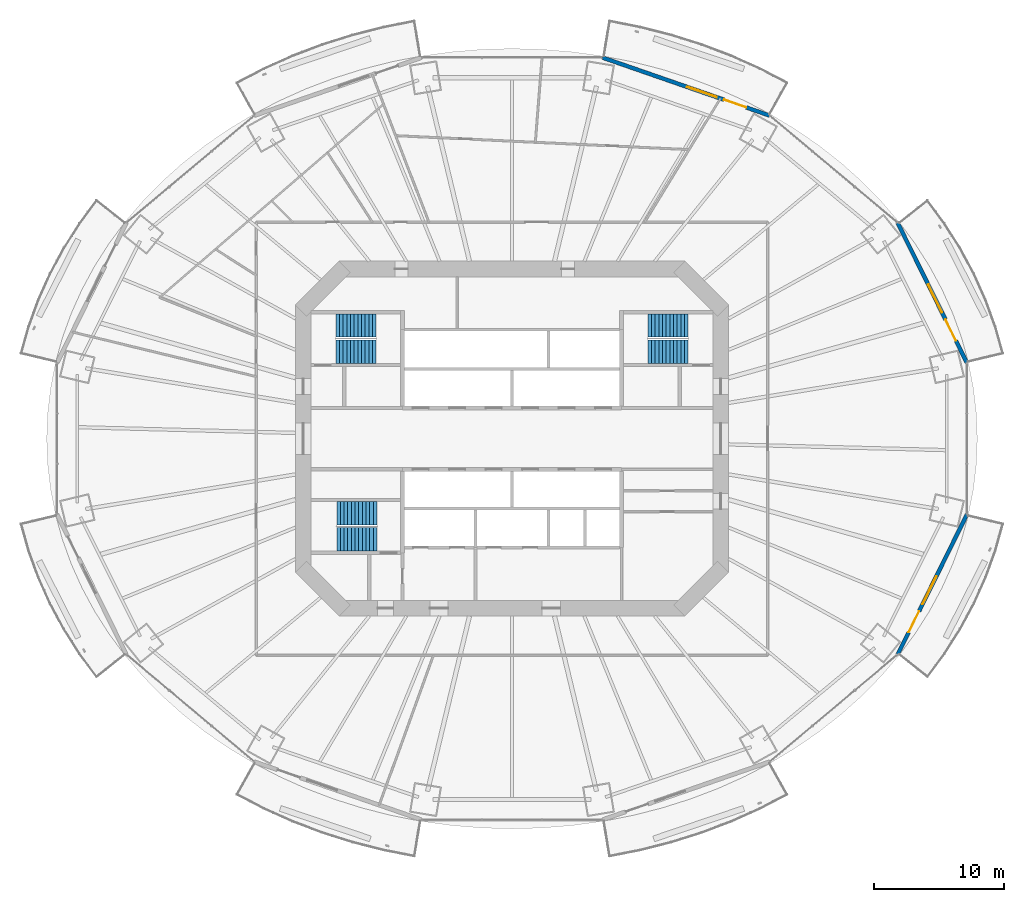
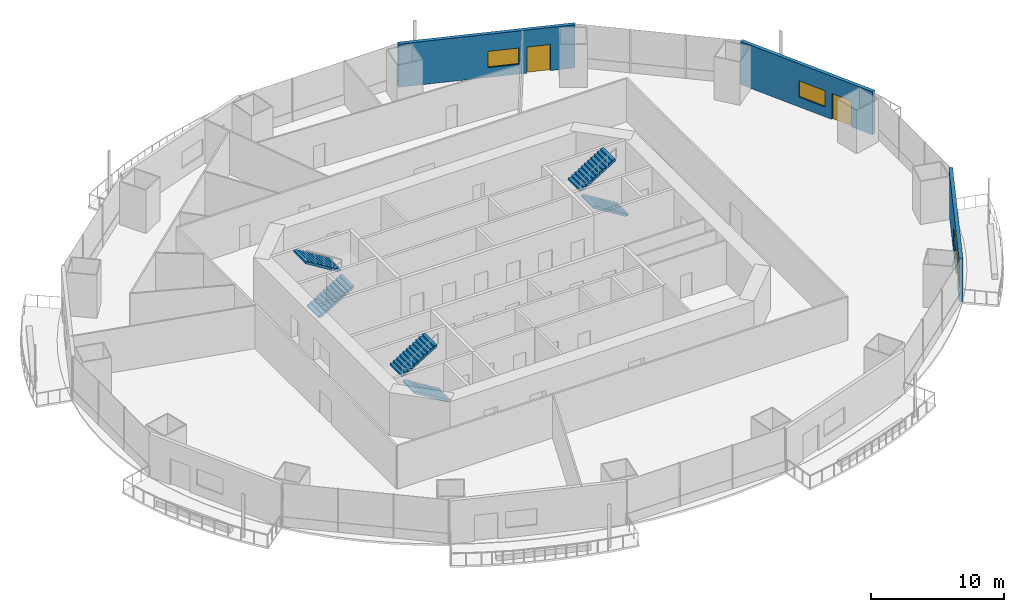
# One storey, part 16 of 22: 6 stair flights, 3 doors, 3 walls, 3 windows, 6 openings, 3 elements without a shape of their own.
"""IFC4 building model written with IfcOpenShell, lengths in metres."""

from ifc_helpers import new_model, si_unit, direction, frame, frame_2d, origin, place, context, subcontext, project, spatial, polyline, rectangle, outline, extrude, material, layer, layer_set, type_object, element, fill, aggregate, save


model = new_model("IFC4")

# Units and contexts
model_context = context("Model", 3, precision=1e-05, world=origin(), true_north=direction((0.0, 1.0)))
body_context = subcontext(model_context, "Body", "Model", "MODEL_VIEW")
ifc_project = project(units=[si_unit("LENGTHUNIT", "METRE"), si_unit("AREAUNIT", "SQUARE_METRE"), si_unit("VOLUMEUNIT", "CUBIC_METRE"), si_unit("PLANEANGLEUNIT", "RADIAN"), si_unit("MASSUNIT", "GRAM", prefix="KILO")], contexts=[model_context])

# Site, building, storey
site_placement = place(None, origin())
site = spatial("IfcSite", under=ifc_project, at=site_placement, CompositionType="ELEMENT")
building_placement = place(site_placement, origin())
building = spatial("IfcBuilding", under=site, at=building_placement, Name="Marenthal Gate Tower", CompositionType="ELEMENT")
storey_placement = place(building_placement, frame((0.0, 0.0, 74.5)))
storey = spatial("IfcBuildingStorey", under=building, at=storey_placement, Name="L14", CompositionType="ELEMENT", Elevation=74.5)

# Wall, openings, door, window
ifc_material_1 = material(Name="Terracotta cladding on insulated concrete-block backing", Category="masonry")
ifc_layer = layer(ifc_material_1, 0.300048828125)
ifc_layer_set = layer_set([ifc_layer], Name="Terracotta facade wall 300")
wall_type = type_object("IfcWallType", Name="Terracotta facade wall 300", PredefinedType="SOLIDWALL", material=ifc_layer_set)
wall_1_placement = place(storey_placement, frame((34.869873046875, 5.810546875, 0.0), z_axis=(0.0, 0.0, 1.0), x_axis=(-0.443222110109, 0.896411825619, 0.0)))
wall_1 = element("IfcWall", 1, at=wall_1_placement, inside=storey, type_object=wall_type, Name="Terracotta facade wall L14 bay 1", PredefinedType="SOLIDWALL", context=body_context, shape_type="SweptSolid", body=[
    extrude(rectangle(XDim=11.977294921875, YDim=0.300048828125, at=frame_2d((5.98876953125, 0.0))), origin(), (0.0, 0.0, 1.0), 3.969970703125),
])
opening_1_placement = place(wall_1_placement, frame((1.89990234375, 0.0, 0.0)))
opening_1 = element("IfcOpeningElement", 2, at=opening_1_placement, cuts=wall_1, Name="Opening BD-L14-01", PredefinedType="OPENING", context=body_context, shape_type="SweptSolid", body=[
    extrude(rectangle(XDim=1.800048828125, YDim=2.39990234375, at=frame_2d((0.89990234375, 1.199951171875))), frame((0.0, 0.16015625, 0.0), z_axis=(0.0, -1.0, 0.0), x_axis=(1.0, 0.0, 0.0)), (0.0, 0.0, 1.0), 0.320068359375),
])
opening_2_placement = place(wall_1_placement, frame((4.300048828125, 0.0, 0.89990234375)))
opening_2 = element("IfcOpeningElement", 3, at=opening_2_placement, cuts=wall_1, Name="Opening WN1-L14-01", PredefinedType="OPENING", context=body_context, shape_type="SweptSolid", body=[
    extrude(rectangle(XDim=2.39990234375, YDim=1.5, at=frame_2d((1.199951171875, 0.75))), frame((0.0, 0.16015625, 0.0), z_axis=(0.0, -1.0, 0.0), x_axis=(1.0, 0.0, 0.0)), (0.0, 0.0, 1.0), 0.320068359375),
])
ifc_material_2 = material(Name="Aluminium and glass", Category="aluminium")
door_type = type_object("IfcDoorType", Name="Balcony door 1800x2400", OperationType="DOUBLE_DOOR_SINGLE_SWING", PredefinedType="DOOR", material=ifc_material_2)
door_1_placement = place(opening_1_placement, origin())
door_1 = element("IfcDoor", 4, at=door_1_placement, inside=storey, type_object=door_type, Name="Balcony door L14 bay 1", OperationType="SINGLE_SWING_LEFT", OverallHeight=2.39990234375, OverallWidth=1.800048828125, PredefinedType="DOOR", context=body_context, shape_type="SweptSolid", body=[
    extrude(rectangle(XDim=1.800048828125, YDim=2.39990234375, at=frame_2d((0.89990234375, 1.199951171875))), frame((0.0, 0.02490234375, 0.0), z_axis=(0.0, -1.0, 0.0), x_axis=(1.0, 0.0, 0.0)), (0.0, 0.0, 1.0), 0.050048828125),
])
fill(opening_1, door_1)
ifc_material_3 = material(Name="Aluminium and glass", Category="aluminium")
window_type = type_object("IfcWindowType", Name="Window 2400x1500", PartitioningType="TRIPLE_PANEL_VERTICAL", PredefinedType="WINDOW", material=ifc_material_3)
window_1_placement = place(opening_2_placement, origin())
window_1 = element("IfcWindow", 5, at=window_1_placement, inside=storey, type_object=window_type, Name="Window L14 bay 1", OverallHeight=1.5, OverallWidth=2.39990234375, PartitioningType="SINGLE_PANEL", PredefinedType="WINDOW", context=body_context, shape_type="SweptSolid", body=[
    extrude(rectangle(XDim=2.39990234375, YDim=1.5, at=frame_2d((1.199951171875, 0.75))), frame((0.0, 0.030029296875, 0.0), z_axis=(0.0, -1.0, 0.0), x_axis=(1.0, 0.0, 0.0)), (0.0, 0.0, 1.0), 0.06005859375),
])
fill(opening_2, window_1)

wall_2_placement = place(storey_placement, frame((19.752197265625, 24.764404296875, 0.0), z_axis=(0.0, 0.0, 1.0), x_axis=(-0.94473738927, 0.327828103304, 0.0)))
wall_2 = element("IfcWall", 6, at=wall_2_placement, inside=storey, type_object=wall_type, Name="Terracotta facade wall L14 bay 3", PredefinedType="SOLIDWALL", context=body_context, shape_type="SweptSolid", body=[
    extrude(rectangle(XDim=13.56591796875, YDim=0.300048828125, at=frame_2d((6.782958984375, 0.0))), origin(), (0.0, 0.0, 1.0), 3.969970703125),
])
opening_3_placement = place(wall_2_placement, frame((1.89990234375, 0.0, 0.0)))
opening_3 = element("IfcOpeningElement", 7, at=opening_3_placement, cuts=wall_2, Name="Opening BD-L14-03", PredefinedType="OPENING", context=body_context, shape_type="SweptSolid", body=[
    extrude(rectangle(XDim=1.800048828125, YDim=2.39990234375, at=frame_2d((0.89990234375, 1.199951171875))), frame((0.0, 0.16015625, 0.0), z_axis=(0.0, -1.0, 0.0), x_axis=(1.0, 0.0, 0.0)), (0.0, 0.0, 1.0), 0.320068359375),
])
opening_4_placement = place(wall_2_placement, frame((4.300048828125, 0.0, 0.89990234375)))
opening_4 = element("IfcOpeningElement", 8, at=opening_4_placement, cuts=wall_2, Name="Opening WN1-L14-03", PredefinedType="OPENING", context=body_context, shape_type="SweptSolid", body=[
    extrude(rectangle(XDim=2.39990234375, YDim=1.5, at=frame_2d((1.199951171875, 0.75))), frame((0.0, 0.16015625, 0.0), z_axis=(0.0, -1.0, 0.0), x_axis=(1.0, 0.0, 0.0)), (0.0, 0.0, 1.0), 0.320068359375),
])
door_2_placement = place(opening_3_placement, origin())
door_2 = element("IfcDoor", 9, at=door_2_placement, inside=storey, type_object=door_type, Name="Balcony door L14 bay 3", OperationType="SINGLE_SWING_LEFT", OverallHeight=2.39990234375, OverallWidth=1.800048828125, PredefinedType="DOOR", context=body_context, shape_type="SweptSolid", body=[
    extrude(rectangle(XDim=1.800048828125, YDim=2.39990234375, at=frame_2d((0.89990234375, 1.199951171875))), frame((0.0, 0.02490234375, 0.0), z_axis=(0.0, -1.0, 0.0), x_axis=(1.0, 0.0, 0.0)), (0.0, 0.0, 1.0), 0.050048828125),
])
fill(opening_3, door_2)
window_2_placement = place(opening_4_placement, origin())
window_2 = element("IfcWindow", 10, at=window_2_placement, inside=storey, type_object=window_type, Name="Window L14 bay 3", OverallHeight=1.5, OverallWidth=2.39990234375, PartitioningType="SINGLE_PANEL", PredefinedType="WINDOW", context=body_context, shape_type="SweptSolid", body=[
    extrude(rectangle(XDim=2.39990234375, YDim=1.5, at=frame_2d((1.199951171875, 0.75))), frame((0.0, 0.030029296875, 0.0), z_axis=(0.0, -1.0, 0.0), x_axis=(1.0, 0.0, 0.0)), (0.0, 0.0, 1.0), 0.06005859375),
])
fill(opening_4, window_2)

wall_3_placement = place(storey_placement, frame((29.561279296875, -16.547119140625, 0.0), z_axis=(0.0, 0.0, 1.0), x_axis=(0.443222110109, 0.896411825619, 0.0)))
wall_3 = element("IfcWall", 11, at=wall_3_placement, inside=storey, type_object=wall_type, Name="Terracotta facade wall L14 bay 15", PredefinedType="SOLIDWALL", context=body_context, shape_type="SweptSolid", body=[
    extrude(rectangle(XDim=11.977294921875, YDim=0.300048828125, at=frame_2d((5.98876953125, 0.0))), origin(), (0.0, 0.0, 1.0), 3.969970703125),
])
opening_5_placement = place(wall_3_placement, frame((1.89990234375, 0.0, 0.0)))
opening_5 = element("IfcOpeningElement", 12, at=opening_5_placement, cuts=wall_3, Name="Opening BD-L14-15", PredefinedType="OPENING", context=body_context, shape_type="SweptSolid", body=[
    extrude(rectangle(XDim=1.800048828125, YDim=2.39990234375, at=frame_2d((0.89990234375, 1.199951171875))), frame((0.0, 0.16015625, 0.0), z_axis=(0.0, -1.0, 0.0), x_axis=(1.0, 0.0, 0.0)), (0.0, 0.0, 1.0), 0.320068359375),
])
opening_6_placement = place(wall_3_placement, frame((4.300048828125, 0.0, 0.89990234375)))
opening_6 = element("IfcOpeningElement", 13, at=opening_6_placement, cuts=wall_3, Name="Opening WN1-L14-15", PredefinedType="OPENING", context=body_context, shape_type="SweptSolid", body=[
    extrude(rectangle(XDim=2.39990234375, YDim=1.5, at=frame_2d((1.199951171875, 0.75))), frame((0.0, 0.16015625, 0.0), z_axis=(0.0, -1.0, 0.0), x_axis=(1.0, 0.0, 0.0)), (0.0, 0.0, 1.0), 0.320068359375),
])
door_3_placement = place(opening_5_placement, origin())
door_3 = element("IfcDoor", 14, at=door_3_placement, inside=storey, type_object=door_type, Name="Balcony door L14 bay 15", OperationType="SINGLE_SWING_LEFT", OverallHeight=2.39990234375, OverallWidth=1.800048828125, PredefinedType="DOOR", context=body_context, shape_type="SweptSolid", body=[
    extrude(rectangle(XDim=1.800048828125, YDim=2.39990234375, at=frame_2d((0.89990234375, 1.199951171875))), frame((0.0, 0.02490234375, 0.0), z_axis=(0.0, -1.0, 0.0), x_axis=(1.0, 0.0, 0.0)), (0.0, 0.0, 1.0), 0.050048828125),
])
fill(opening_5, door_3)
window_3_placement = place(opening_6_placement, origin())
window_3 = element("IfcWindow", 15, at=window_3_placement, inside=storey, type_object=window_type, Name="Window L14 bay 15", OverallHeight=1.5, OverallWidth=2.39990234375, PartitioningType="SINGLE_PANEL", PredefinedType="WINDOW", context=body_context, shape_type="SweptSolid", body=[
    extrude(rectangle(XDim=2.39990234375, YDim=1.5, at=frame_2d((1.199951171875, 0.75))), frame((0.0, 0.030029296875, 0.0), z_axis=(0.0, -1.0, 0.0), x_axis=(1.0, 0.0, 0.0)), (0.0, 0.0, 1.0), 0.06005859375),
])
fill(opening_6, window_3)

# Stair, stair flights
ifc_material_4 = material(Name="Concrete 40 MPa", Category="concrete")
stair_type = type_object("IfcStairType", Name="Exit stair 1800", PredefinedType="HALF_TURN_STAIR", material=ifc_material_4)
stair_1_placement = place(storey_placement, origin())
stair_1 = element("IfcStair", 16, at=stair_1_placement, inside=storey, type_object=stair_type, Name="Stair ST1", PredefinedType="HALF_TURN_STAIR")
ifc_material_5 = material(Name="Concrete 40 MPa", Category="concrete")
stair_flight_type = type_object("IfcStairFlightType", Name="Stair flight 1800", PredefinedType="STRAIGHT", material=ifc_material_5)
stair_flight_1_placement = place(storey_placement, frame((-13.5, 6.675048828125, 0.0), z_axis=(0.0, 0.0, 1.0), x_axis=(1.0, 0.0, 0.0)))
stair_flight_1 = element("IfcStairFlight", 17, at=stair_flight_1_placement, type_object=stair_flight_type, Name="ST1 flight 1", NumberOfRisers=12, NumberOfTreads=11, PredefinedType="STRAIGHT", RiserHeight=0.172916667, TreadLength=0.28, context=body_context, shape_type="SweptSolid", body=[
    extrude(outline(polyline([(0.0, 0.0), (0.0, 0.1728515625), (0.280029296875, 0.1728515625), (0.280029296875, 0.345947265625), (0.56005859375, 0.345947265625), (0.56005859375, 0.518798828125), (0.840087890625, 0.518798828125), (0.840087890625, 0.691650390625), (1.1201171875, 0.691650390625), (1.1201171875, 0.864501953125), (1.39990234375, 0.864501953125), (1.39990234375, 1.03759765625), (1.679931640625, 1.03759765625), (1.679931640625, 1.21044921875), (1.9599609375, 1.21044921875), (1.9599609375, 1.38330078125), (2.239990234375, 1.38330078125), (2.239990234375, 1.55615234375), (2.52001953125, 1.55615234375), (2.52001953125, 1.729248046875), (2.800048828125, 1.729248046875), (2.800048828125, 1.902099609375), (3.080078125, 1.902099609375), (3.080078125, 2.074951171875), (3.080078125, 1.725830078125), (0.285400390625, 0.0), (0.0, 0.0)])), frame((0.0, 0.89990234375, 0.0), z_axis=(0.0, -1.0, 0.0), x_axis=(1.0, 0.0, 0.0)), (0.0, 0.0, 1.0), 1.800048828125),
])
stair_flight_2_placement = place(storey_placement, frame((-10.419921875, 8.675048828125, 2.074951171875), z_axis=(0.0, 0.0, 1.0), x_axis=(-1.0, 0.0, 0.0)))
stair_flight_2 = element("IfcStairFlight", 18, at=stair_flight_2_placement, type_object=stair_flight_type, Name="ST1 flight 2", NumberOfRisers=12, NumberOfTreads=11, PredefinedType="STRAIGHT", RiserHeight=0.172916667, TreadLength=0.28, context=body_context, shape_type="SweptSolid", body=[
    extrude(outline(polyline([(0.0, 0.0), (0.0, 0.1728515625), (0.280029296875, 0.1728515625), (0.280029296875, 0.345947265625), (0.56005859375, 0.345947265625), (0.56005859375, 0.518798828125), (0.840087890625, 0.518798828125), (0.840087890625, 0.691650390625), (1.1201171875, 0.691650390625), (1.1201171875, 0.864501953125), (1.39990234375, 0.864501953125), (1.39990234375, 1.03759765625), (1.679931640625, 1.03759765625), (1.679931640625, 1.21044921875), (1.9599609375, 1.21044921875), (1.9599609375, 1.38330078125), (2.239990234375, 1.38330078125), (2.239990234375, 1.55615234375), (2.52001953125, 1.55615234375), (2.52001953125, 1.729248046875), (2.800048828125, 1.729248046875), (2.800048828125, 1.902099609375), (3.080078125, 1.902099609375), (3.080078125, 2.074951171875), (3.080078125, 1.725830078125), (0.285400390625, 0.0), (0.0, 0.0)])), frame((0.0, 0.89990234375, 0.0), z_axis=(0.0, -1.0, 0.0), x_axis=(1.0, 0.0, 0.0)), (0.0, 0.0, 1.0), 1.800048828125),
])
aggregate(stair_1, [stair_flight_1, stair_flight_2])

stair_2_placement = place(storey_placement, origin())
stair_2 = element("IfcStair", 19, at=stair_2_placement, inside=storey, type_object=stair_type, Name="Stair ST2", PredefinedType="HALF_TURN_STAIR")
stair_flight_3_placement = place(storey_placement, frame((-10.35009765625, -7.72509765625, 0.0), z_axis=(0.0, 0.0, 1.0), x_axis=(-1.0, 0.0, 0.0)))
stair_flight_3 = element("IfcStairFlight", 20, at=stair_flight_3_placement, type_object=stair_flight_type, Name="ST2 flight 1", NumberOfRisers=12, NumberOfTreads=11, PredefinedType="STRAIGHT", RiserHeight=0.172916667, TreadLength=0.28, context=body_context, shape_type="SweptSolid", body=[
    extrude(outline(polyline([(0.0, 0.0), (0.0, 0.1728515625), (0.280029296875, 0.1728515625), (0.280029296875, 0.345947265625), (0.56005859375, 0.345947265625), (0.56005859375, 0.518798828125), (0.840087890625, 0.518798828125), (0.840087890625, 0.691650390625), (1.1201171875, 0.691650390625), (1.1201171875, 0.864501953125), (1.39990234375, 0.864501953125), (1.39990234375, 1.03759765625), (1.679931640625, 1.03759765625), (1.679931640625, 1.21044921875), (1.9599609375, 1.21044921875), (1.9599609375, 1.38330078125), (2.239990234375, 1.38330078125), (2.239990234375, 1.55615234375), (2.52001953125, 1.55615234375), (2.52001953125, 1.729248046875), (2.800048828125, 1.729248046875), (2.800048828125, 1.902099609375), (3.080078125, 1.902099609375), (3.080078125, 2.074951171875), (3.080078125, 1.725830078125), (0.285400390625, 0.0), (0.0, 0.0)])), frame((0.0, 0.89990234375, 0.0), z_axis=(0.0, -1.0, 0.0), x_axis=(1.0, 0.0, 0.0)), (0.0, 0.0, 1.0), 1.800048828125),
])
stair_flight_4_placement = place(storey_placement, frame((-13.429931640625, -5.72509765625, 2.074951171875), z_axis=(0.0, 0.0, 1.0), x_axis=(1.0, 0.0, 0.0)))
stair_flight_4 = element("IfcStairFlight", 21, at=stair_flight_4_placement, type_object=stair_flight_type, Name="ST2 flight 2", NumberOfRisers=12, NumberOfTreads=11, PredefinedType="STRAIGHT", RiserHeight=0.172916667, TreadLength=0.28, context=body_context, shape_type="SweptSolid", body=[
    extrude(outline(polyline([(0.0, 0.0), (0.0, 0.1728515625), (0.280029296875, 0.1728515625), (0.280029296875, 0.345947265625), (0.56005859375, 0.345947265625), (0.56005859375, 0.518798828125), (0.840087890625, 0.518798828125), (0.840087890625, 0.691650390625), (1.1201171875, 0.691650390625), (1.1201171875, 0.864501953125), (1.39990234375, 0.864501953125), (1.39990234375, 1.03759765625), (1.679931640625, 1.03759765625), (1.679931640625, 1.21044921875), (1.9599609375, 1.21044921875), (1.9599609375, 1.38330078125), (2.239990234375, 1.38330078125), (2.239990234375, 1.55615234375), (2.52001953125, 1.55615234375), (2.52001953125, 1.729248046875), (2.800048828125, 1.729248046875), (2.800048828125, 1.902099609375), (3.080078125, 1.902099609375), (3.080078125, 2.074951171875), (3.080078125, 1.725830078125), (0.285400390625, 0.0), (0.0, 0.0)])), frame((0.0, 0.89990234375, 0.0), z_axis=(0.0, -1.0, 0.0), x_axis=(1.0, 0.0, 0.0)), (0.0, 0.0, 1.0), 1.800048828125),
])
aggregate(stair_2, [stair_flight_3, stair_flight_4])

stair_3_placement = place(storey_placement, origin())
stair_3 = element("IfcStair", 22, at=stair_3_placement, inside=storey, type_object=stair_type, Name="Stair ST3", PredefinedType="HALF_TURN_STAIR")
stair_flight_5_placement = place(storey_placement, frame((13.5, 6.675048828125, 0.0), z_axis=(0.0, 0.0, 1.0), x_axis=(-1.0, 0.0, 0.0)))
stair_flight_5 = element("IfcStairFlight", 23, at=stair_flight_5_placement, type_object=stair_flight_type, Name="ST3 flight 1", NumberOfRisers=12, NumberOfTreads=11, PredefinedType="STRAIGHT", RiserHeight=0.172916667, TreadLength=0.28, context=body_context, shape_type="SweptSolid", body=[
    extrude(outline(polyline([(0.0, 0.0), (0.0, 0.1728515625), (0.280029296875, 0.1728515625), (0.280029296875, 0.345947265625), (0.56005859375, 0.345947265625), (0.56005859375, 0.518798828125), (0.840087890625, 0.518798828125), (0.840087890625, 0.691650390625), (1.1201171875, 0.691650390625), (1.1201171875, 0.864501953125), (1.39990234375, 0.864501953125), (1.39990234375, 1.03759765625), (1.679931640625, 1.03759765625), (1.679931640625, 1.21044921875), (1.9599609375, 1.21044921875), (1.9599609375, 1.38330078125), (2.239990234375, 1.38330078125), (2.239990234375, 1.55615234375), (2.52001953125, 1.55615234375), (2.52001953125, 1.729248046875), (2.800048828125, 1.729248046875), (2.800048828125, 1.902099609375), (3.080078125, 1.902099609375), (3.080078125, 2.074951171875), (3.080078125, 1.725830078125), (0.285400390625, 0.0), (0.0, 0.0)])), frame((0.0, 0.89990234375, 0.0), z_axis=(0.0, -1.0, 0.0), x_axis=(1.0, 0.0, 0.0)), (0.0, 0.0, 1.0), 1.800048828125),
])
stair_flight_6_placement = place(storey_placement, frame((10.419921875, 8.675048828125, 2.074951171875), z_axis=(0.0, 0.0, 1.0), x_axis=(1.0, 0.0, 0.0)))
stair_flight_6 = element("IfcStairFlight", 24, at=stair_flight_6_placement, type_object=stair_flight_type, Name="ST3 flight 2", NumberOfRisers=12, NumberOfTreads=11, PredefinedType="STRAIGHT", RiserHeight=0.172916667, TreadLength=0.28, context=body_context, shape_type="SweptSolid", body=[
    extrude(outline(polyline([(0.0, 0.0), (0.0, 0.1728515625), (0.280029296875, 0.1728515625), (0.280029296875, 0.345947265625), (0.56005859375, 0.345947265625), (0.56005859375, 0.518798828125), (0.840087890625, 0.518798828125), (0.840087890625, 0.691650390625), (1.1201171875, 0.691650390625), (1.1201171875, 0.864501953125), (1.39990234375, 0.864501953125), (1.39990234375, 1.03759765625), (1.679931640625, 1.03759765625), (1.679931640625, 1.21044921875), (1.9599609375, 1.21044921875), (1.9599609375, 1.38330078125), (2.239990234375, 1.38330078125), (2.239990234375, 1.55615234375), (2.52001953125, 1.55615234375), (2.52001953125, 1.729248046875), (2.800048828125, 1.729248046875), (2.800048828125, 1.902099609375), (3.080078125, 1.902099609375), (3.080078125, 2.074951171875), (3.080078125, 1.725830078125), (0.285400390625, 0.0), (0.0, 0.0)])), frame((0.0, 0.89990234375, 0.0), z_axis=(0.0, -1.0, 0.0), x_axis=(1.0, 0.0, 0.0)), (0.0, 0.0, 1.0), 1.800048828125),
])
aggregate(stair_3, [stair_flight_5, stair_flight_6])

save(model, "model.ifc")
